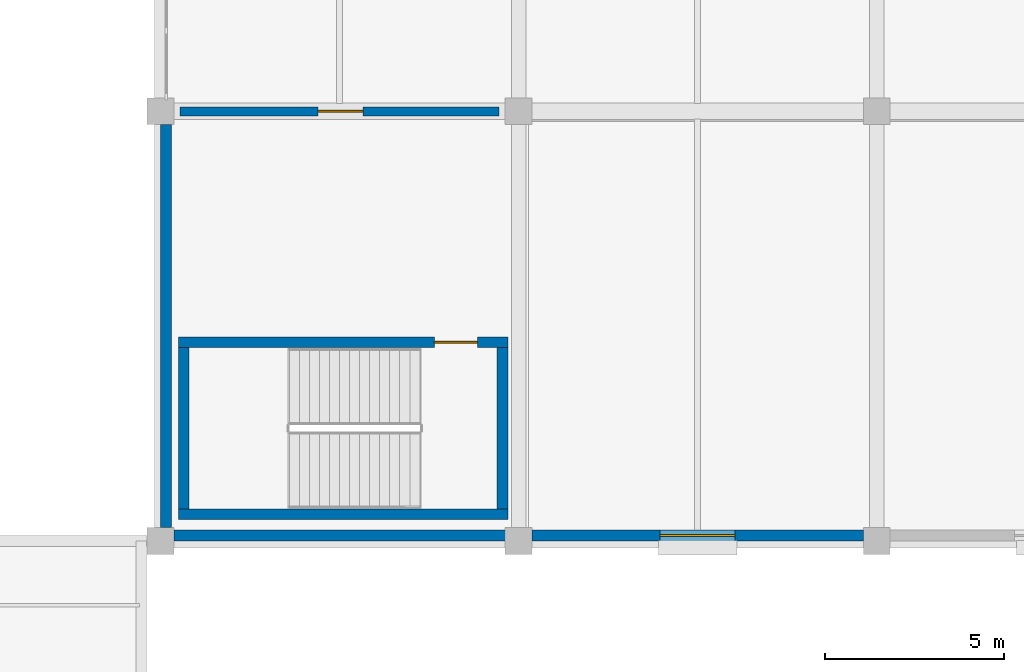
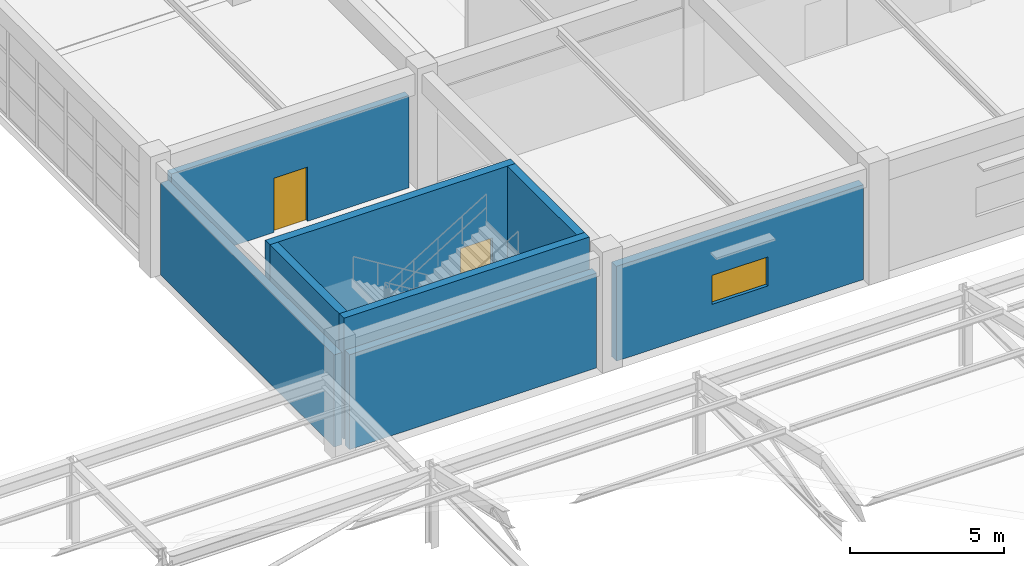
# One storey, part 90 of 109: 8 walls, 2 doors, 1 window, 3 openings.
"""IFC4 building model written with IfcOpenShell, lengths in metres."""

from ifc_helpers import new_model, si_unit, direction, frame, frame_2d, origin, place, context, subcontext, project, spatial, rectangle, extrude, material, layer, layer_set, type_object, element, fill, save


model = new_model("IFC4")

# Units and contexts
model_context = context("Model", 3, precision=1e-05, world=origin(), true_north=direction((0.0, 1.0)))
body_context = subcontext(model_context, "Body", "Model", "MODEL_VIEW")
ifc_project = project(units=[si_unit("LENGTHUNIT", "METRE"), si_unit("AREAUNIT", "SQUARE_METRE"), si_unit("VOLUMEUNIT", "CUBIC_METRE"), si_unit("PLANEANGLEUNIT", "RADIAN"), si_unit("MASSUNIT", "GRAM", prefix="KILO")], contexts=[model_context])

# Site, building, storey
site_placement = place(None, origin())
site = spatial("IfcSite", under=ifc_project, at=site_placement, CompositionType="ELEMENT")
building_placement = place(site_placement, origin())
building = spatial("IfcBuilding", under=site, at=building_placement, Name="Kivolera Central Railway Station", CompositionType="ELEMENT")
storey_placement = place(building_placement, frame((0.0, 0.0, 9.60009765625)))
storey = spatial("IfcBuildingStorey", under=building, at=storey_placement, Name="L02", CompositionType="ELEMENT", Elevation=9.60009765625)

# Wall
ifc_material_1 = material(Name="Concrete C40/50", Category="concrete")
ifc_layer_1 = layer(ifc_material_1, 0.300048828125, Name="Concrete C40/50")
ifc_layer_set_1 = layer_set([ifc_layer_1], Name="Concrete C40/50")
wall_type_1 = type_object("IfcWallType", Name="WL-CORE-300", PredefinedType="SHEAR", material=ifc_layer_set_1)
wall_1_placement = place(storey_placement, frame((127.699951171875, 54.75, 0.0), z_axis=(0.0, 0.0, 1.0), x_axis=(-1.0, 0.0, 0.0)))
element("IfcWall", 1, at=wall_1_placement, inside=storey, type_object=wall_type_1, Name="L02 ST4 Core Right Shear Wall", PredefinedType="SHEAR", context=body_context, shape_type="SweptSolid", body=[
    extrude(rectangle(XDim=9.199951171875, YDim=0.300048828125, at=frame_2d((4.60009765625, 0.0))), origin(), (0.0, 0.0, 1.0), 4.7998046875),
])

# Wall, opening, door
wall_2_placement = place(storey_placement, frame((118.5, 59.550048828125, 0.0), z_axis=(0.0, 0.0, 1.0), x_axis=(1.0, 0.0, 0.0)))
wall_2 = element("IfcWall", 2, at=wall_2_placement, inside=storey, type_object=wall_type_1, Name="L02 ST4 Core Left Shear Wall", PredefinedType="SHEAR", context=body_context, shape_type="SweptSolid", body=[
    extrude(rectangle(XDim=9.199951171875, YDim=0.300048828125, at=frame_2d((4.60009765625, 0.0))), origin(), (0.0, 0.0, 1.0), 4.7998046875),
])
opening_1_placement = place(wall_2_placement, frame((7.14990234375, 0.0, 0.0)))
opening_1 = element("IfcOpeningElement", 3, at=opening_1_placement, cuts=wall_2, Name="Opening D-STAIR-1200", PredefinedType="OPENING", context=body_context, shape_type="SweptSolid", body=[
    extrude(rectangle(XDim=1.199951171875, YDim=2.14990234375, at=frame_2d((0.60009765625, 1.074951171875))), frame((0.0, 0.159912109375, 0.0), z_axis=(0.0, -1.0, 0.0), x_axis=(1.0, 0.0, 0.0)), (0.0, 0.0, 1.0), 0.320068359375),
])
ifc_material_2 = material(Name="Hardwood mvule timber", Category="wood")
door_type_1 = type_object("IfcDoorType", Name="DR-D-STAIR-1200", OperationType="NOTDEFINED", PredefinedType="DOOR", material=ifc_material_2)
door_1_placement = place(opening_1_placement, origin())
door_1 = element("IfcDoor", 4, at=door_1_placement, inside=storey, type_object=door_type_1, Name="L02 ST4 Lobby Fire Door", OperationType="SINGLE_SWING_RIGHT", OverallHeight=2.14990234375, OverallWidth=1.199951171875, PredefinedType="DOOR", context=body_context, shape_type="SweptSolid", body=[
    extrude(rectangle(XDim=1.199951171875, YDim=2.14990234375, at=frame_2d((0.60009765625, 1.074951171875))), frame((0.0, 0.02490234375, 0.0), z_axis=(0.0, -1.0, 0.0), x_axis=(1.0, 0.0, 0.0)), (0.0, 0.0, 1.0), 0.050048828125),
])
fill(opening_1, door_1)

# Walls
for number, where, z_axis, x_axis, name in (
    (5, (127.550048828125, 59.39990234375, 0.0), (0.0, 0.0, 1.0), (0.0, -1.0, 0.0), "L02 ST4 Core Near Shear Wall"),
    (6, (118.64990234375, 54.89990234375, 0.0), (0.0, 0.0, 1.0), (0.0, 1.0, 0.0), "L02 ST4 Core Far Shear Wall"),
):
    element("IfcWall", number, at=place(storey_placement, frame(where, z_axis=z_axis, x_axis=x_axis)), inside=storey, type_object=wall_type_1, Name=name, PredefinedType="SHEAR", context=body_context, shape_type="SweptSolid", body=[
        extrude(rectangle(XDim=4.5, YDim=0.300048828125, at=frame_2d((2.25, 0.0))), origin(), (0.0, 0.0, 1.0), 4.7998046875),
    ])
ifc_material_3 = material(Name="Swahili coral limestone", Category="masonry")
ifc_layer_2 = layer(ifc_material_3, 0.304931640625, Name="Swahili coral limestone")
ifc_layer_set_2 = layer_set([ifc_layer_2], Name="Swahili coral limestone")
wall_type_2 = type_object("IfcWallType", Name="WL-EXT-CORAL-305", PredefinedType="SOLIDWALL", material=ifc_layer_set_2)
wall_3_placement = place(storey_placement, frame((118.153076171875, 54.3701171875, 0.0), z_axis=(0.0, 0.0, 1.0), x_axis=(0.0, 1.0, 0.0)))
element("IfcWall", 7, at=wall_3_placement, inside=storey, type_object=wall_type_2, Name="L02 West Facade Wall E-F", PredefinedType="SOLIDWALL", context=body_context, shape_type="SweptSolid", body=[
    extrude(rectangle(XDim=11.259765625, YDim=0.304931640625, at=frame_2d((5.6298828125, 0.0))), origin(), (0.0, 0.0, 1.0), 3.657958984375),
])
wall_4_placement = place(storey_placement, frame((127.6298828125, 54.153076171875, 0.0), z_axis=(0.0, 0.0, 1.0), x_axis=(-1.0, 0.0, 0.0)))
element("IfcWall", 8, at=wall_4_placement, inside=storey, type_object=wall_type_2, Name="L02 South Facade Wall 118-128", PredefinedType="SOLIDWALL", context=body_context, shape_type="SweptSolid", body=[
    extrude(rectangle(XDim=9.259765625, YDim=0.304931640625, at=frame_2d((4.6298828125, 0.0))), origin(), (0.0, 0.0, 1.0), 3.7578125),
])

# Wall, opening, window
wall_5_placement = place(storey_placement, frame((137.6298828125, 54.153076171875, 0.0), z_axis=(0.0, 0.0, 1.0), x_axis=(-1.0, 0.0, 0.0)))
wall_5 = element("IfcWall", 9, at=wall_5_placement, inside=storey, type_object=wall_type_2, Name="L02 South Facade Wall 128-138", PredefinedType="SOLIDWALL", context=body_context, shape_type="SweptSolid", body=[
    extrude(rectangle(XDim=9.259765625, YDim=0.304931640625, at=frame_2d((4.6298828125, 0.0))), origin(), (0.0, 0.0, 1.0), 3.7578125),
])
opening_2_placement = place(wall_5_placement, frame((3.580078125, 0.0, 1.0)))
opening_2 = element("IfcOpeningElement", 10, at=opening_2_placement, cuts=wall_5, Name="Opening WN-07", PredefinedType="OPENING", context=body_context, shape_type="SweptSolid", body=[
    extrude(rectangle(XDim=2.10009765625, YDim=1.14990234375, at=frame_2d((1.050048828125, 0.574951171875))), frame((0.0, 0.162353515625, 0.0), z_axis=(0.0, -1.0, 0.0), x_axis=(1.0, 0.0, 0.0)), (0.0, 0.0, 1.0), 0.324951171875),
])
ifc_material_4 = material(Name="Double low-E laminated glass", Category="glass")
window_type = type_object("IfcWindowType", Name="WIN-WN-07", PartitioningType="SINGLE_PANEL", PredefinedType="WINDOW", material=ifc_material_4)
window_placement = place(opening_2_placement, origin())
window = element("IfcWindow", 11, at=window_placement, inside=storey, type_object=window_type, Name="L02 South Facade Window 128", OverallHeight=1.14990234375, OverallWidth=2.10009765625, PartitioningType="SINGLE_PANEL", PredefinedType="WINDOW", context=body_context, shape_type="SweptSolid", body=[
    extrude(rectangle(XDim=2.10009765625, YDim=1.14990234375, at=frame_2d((1.050048828125, 0.574951171875))), frame((0.0, 0.030029296875, 0.0), z_axis=(0.0, -1.0, 0.0), x_axis=(1.0, 0.0, 0.0)), (0.0, 0.0, 1.0), 0.06005859375),
])
fill(opening_2, window)

# Wall, opening, door
ifc_layer_3 = layer(ifc_material_1, 0.25, Name="Concrete C40/50")
ifc_layer_set_3 = layer_set([ifc_layer_3], Name="Concrete C40/50")
wall_type_3 = type_object("IfcWallType", Name="WL-FFL-250", PredefinedType="PARTITIONING", material=ifc_layer_set_3)
wall_6_placement = place(storey_placement, frame((118.550048828125, 66.0, 0.0), z_axis=(0.0, 0.0, 1.0), x_axis=(1.0, 0.0, 0.0)))
wall_6 = element("IfcWall", 12, at=wall_6_placement, inside=storey, type_object=wall_type_3, Name="L02 ST4 Lobby Wall", PredefinedType="PARTITIONING", context=body_context, shape_type="SweptSolid", body=[
    extrude(rectangle(XDim=8.89990234375, YDim=0.25, at=frame_2d((4.449951171875, 0.0))), origin(), (0.0, 0.0, 1.0), 3.657958984375),
])
opening_3_placement = place(wall_6_placement, frame((3.85009765625, 0.0, 0.0)))
opening_3 = element("IfcOpeningElement", 13, at=opening_3_placement, cuts=wall_6, Name="Opening D-FFL-1250", PredefinedType="OPENING", context=body_context, shape_type="SweptSolid", body=[
    extrude(rectangle(XDim=1.25, YDim=2.14990234375, at=frame_2d((0.625, 1.074951171875))), frame((0.0, 0.135009765625, 0.0), z_axis=(0.0, -1.0, 0.0), x_axis=(1.0, 0.0, 0.0)), (0.0, 0.0, 1.0), 0.27001953125),
])
door_type_2 = type_object("IfcDoorType", Name="DR-D-FFL-1250", OperationType="NOTDEFINED", PredefinedType="DOOR", material=ifc_material_2)
door_2_placement = place(opening_3_placement, origin())
door_2 = element("IfcDoor", 14, at=door_2_placement, inside=storey, type_object=door_type_2, Name="L02 ST4 Lobby Corridor Door", OperationType="SINGLE_SWING_LEFT", OverallHeight=2.14990234375, OverallWidth=1.25, PredefinedType="DOOR", context=body_context, shape_type="SweptSolid", body=[
    extrude(rectangle(XDim=1.25, YDim=2.14990234375, at=frame_2d((0.625, 1.074951171875))), frame((0.0, 0.02490234375, 0.0), z_axis=(0.0, -1.0, 0.0), x_axis=(1.0, 0.0, 0.0)), (0.0, 0.0, 1.0), 0.050048828125),
])
fill(opening_3, door_2)

save(model, "model.ifc")
